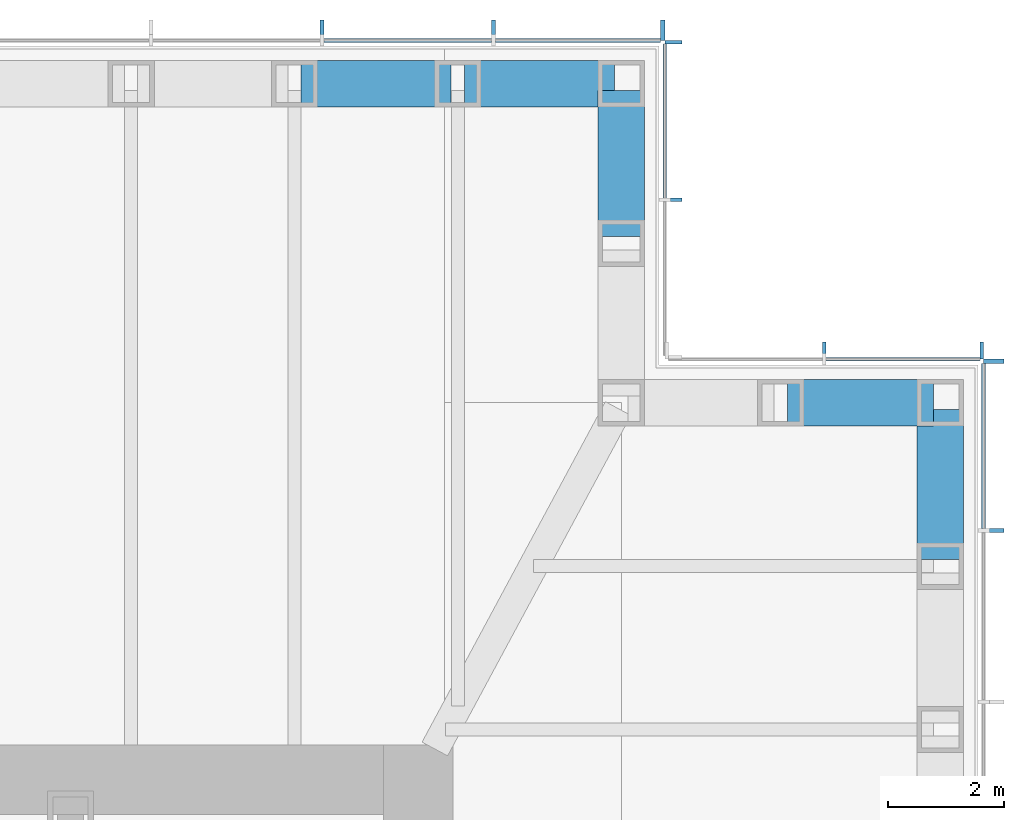
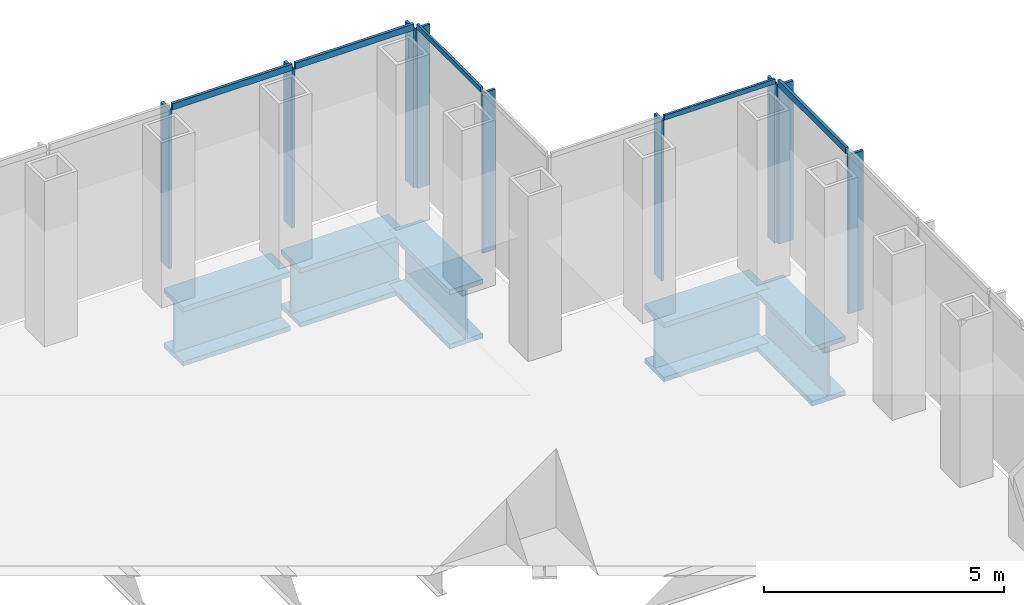
# One storey, part 6 of 16: 14 members, 5 beams, 4 elements without a shape of their own.
"""IFC4 building model written with IfcOpenShell, lengths in metres."""

from ifc_helpers import new_model, si_unit, direction, frame, origin, origin_2d, place, context, subcontext, project, spatial, rectangle, i_section, extrude, material, material_profile, profile_set, type_object, element, aggregate, save


model = new_model("IFC4")

# Units and contexts
model_context = context("Model", 3, precision=1e-05, world=origin(), true_north=direction((0.0, 1.0)))
body_context = subcontext(model_context, "Body", "Model", "MODEL_VIEW")
ifc_project = project(units=[si_unit("LENGTHUNIT", "METRE"), si_unit("AREAUNIT", "SQUARE_METRE"), si_unit("VOLUMEUNIT", "CUBIC_METRE"), si_unit("PLANEANGLEUNIT", "RADIAN"), si_unit("MASSUNIT", "GRAM", prefix="KILO")], contexts=[model_context])

# Site, building, storey
site_placement = place(None, origin())
site = spatial("IfcSite", under=ifc_project, at=site_placement, CompositionType="ELEMENT")
building_placement = place(site_placement, origin())
building = spatial("IfcBuilding", under=site, at=building_placement, Name="Daluyong Arena Tower", CompositionType="ELEMENT")
storey_placement = place(building_placement, frame((0.0, 0.0, 231.699951171875)))
storey = spatial("IfcBuildingStorey", under=building, at=storey_placement, Name="L52", CompositionType="ELEMENT", Elevation=231.699951171875)

# Curtain wall, members
ifc_material_1 = material(Name="Bronze anodised aluminium and glass", Category="aluminium")
curtain_wall_type_1 = type_object("IfcCurtainWallType", Name="Curtain wall CW3", PredefinedType="USERDEFINED", material=ifc_material_1)
curtain_wall_1_placement = place(storey_placement, origin())
curtain_wall_1 = element("IfcCurtainWall", 1, at=curtain_wall_1_placement, inside=storey, type_object=curtain_wall_type_1, Name="curtain wall L52 E", ObjectType="UNITISED CURTAIN WALL", PredefinedType="USERDEFINED")
ifc_material_2 = material(Name="Bronze anodised aluminium fin", Category="aluminium")
ifc_material_profile_1 = material_profile(ifc_material_2, rectangle(XDim=0.35009765625, YDim=0.070068359375, at=origin_2d()))
ifc_profile_set_1 = profile_set([ifc_material_profile_1], Name="Bronze anodised aluminium fin")
member_type_1 = type_object("IfcMemberType", Name="CW3 bronze fin 350x70", PredefinedType="MULLION", material=ifc_profile_set_1)
member_1_placement = place(storey_placement, frame((77.925048828125, 93.29541015625, 0.0), z_axis=(0.0, 0.0, 1.0), x_axis=(-1.0, 0.0, 0.0)))
member_1 = element("IfcMember", 2, at=member_1_placement, type_object=member_type_1, Name="curtain wall L52 E fin 11", PredefinedType="MULLION", context=body_context, shape_type="SweptSolid", body=[
    extrude(rectangle(XDim=0.35009765625, YDim=0.070068359375, at=origin_2d()), origin(), (0.0, 0.0, 1.0), 4.0400390625),
])
member_2_placement = place(storey_placement, frame((77.925048828125, 96.215087890625, 0.0), z_axis=(0.0, 0.0, 1.0), x_axis=(-1.0, 0.0, 0.0)))
member_2 = element("IfcMember", 3, at=member_2_placement, type_object=member_type_1, Name="curtain wall L52 E fin 12", PredefinedType="MULLION", context=body_context, shape_type="SweptSolid", body=[
    extrude(rectangle(XDim=0.35009765625, YDim=0.070068359375, at=origin_2d()), origin(), (0.0, 0.0, 1.0), 4.0400390625),
])

curtain_wall_2_placement = place(storey_placement, origin())
curtain_wall_2 = element("IfcCurtainWall", 4, at=curtain_wall_2_placement, inside=storey, type_object=curtain_wall_type_1, Name="curtain wall L52 N", ObjectType="UNITISED CURTAIN WALL", PredefinedType="USERDEFINED")
member_3_placement = place(storey_placement, frame((72.215087890625, 101.925048828125, 0.0), z_axis=(0.0, 0.0, 1.0), x_axis=(0.0, -1.0, 0.0)))
member_3 = element("IfcMember", 5, at=member_3_placement, type_object=member_type_1, Name="curtain wall L52 N fin 1", PredefinedType="MULLION", context=body_context, shape_type="SweptSolid", body=[
    extrude(rectangle(XDim=0.35009765625, YDim=0.070068359375, at=origin_2d()), origin(), (0.0, 0.0, 1.0), 4.0400390625),
])
member_4_placement = place(storey_placement, frame((69.29541015625, 101.925048828125, 0.0), z_axis=(0.0, 0.0, 1.0), x_axis=(0.0, -1.0, 0.0)))
member_4 = element("IfcMember", 6, at=member_4_placement, type_object=member_type_1, Name="curtain wall L52 N fin 2", PredefinedType="MULLION", context=body_context, shape_type="SweptSolid", body=[
    extrude(rectangle(XDim=0.35009765625, YDim=0.070068359375, at=origin_2d()), origin(), (0.0, 0.0, 1.0), 4.0400390625),
])
member_5_placement = place(storey_placement, frame((66.3408203125, 101.925048828125, 0.0), z_axis=(0.0, 0.0, 1.0), x_axis=(0.0, -1.0, 0.0)))
member_5 = element("IfcMember", 7, at=member_5_placement, type_object=member_type_1, Name="curtain wall L52 N fin 3", PredefinedType="MULLION", context=body_context, shape_type="SweptSolid", body=[
    extrude(rectangle(XDim=0.35009765625, YDim=0.070068359375, at=origin_2d()), origin(), (0.0, 0.0, 1.0), 4.0400390625),
])

# Member
ifc_material_3 = material(Name="Bronze anodised aluminium", Category="aluminium")
ifc_material_profile_2 = material_profile(ifc_material_3, rectangle(XDim=0.070068359375, YDim=0.159912109375, at=origin_2d()))
ifc_profile_set_2 = profile_set([ifc_material_profile_2], Name="Bronze anodised aluminium")
member_type_2 = type_object("IfcMemberType", Name="CW3 stack transom 160x70", PredefinedType="USERDEFINED", material=ifc_profile_set_2)
member_6_placement = place(storey_placement, frame((77.75, 93.33056640625, 4.1201171875), z_axis=(0.0, 1.0, 0.0), x_axis=(-1.0, 0.0, 0.0)))
member_6 = element("IfcMember", 8, at=member_6_placement, type_object=member_type_2, Name="curtain wall L52 E transom 11", ObjectType="TRANSOM", PredefinedType="USERDEFINED", context=body_context, shape_type="SweptSolid", body=[
    extrude(rectangle(XDim=0.070068359375, YDim=0.159912109375, at=origin_2d()), origin(), (0.0, 0.0, 1.0), 2.849365234375),
])

aggregate(curtain_wall_1, [member_1, member_2, member_6])

member_7_placement = place(storey_placement, frame((72.179931640625, 101.75, 4.1201171875), z_axis=(-1.0, 0.0, 0.0), x_axis=(0.0, -1.0, 0.0)))
member_7 = element("IfcMember", 9, at=member_7_placement, type_object=member_type_2, Name="curtain wall L52 N transom 1", ObjectType="TRANSOM", PredefinedType="USERDEFINED", context=body_context, shape_type="SweptSolid", body=[
    extrude(rectangle(XDim=0.070068359375, YDim=0.159912109375, at=origin_2d()), origin(), (0.0, 0.0, 1.0), 2.849365234375),
])

member_8_placement = place(storey_placement, frame((69.260498046875, 101.75, 4.1201171875), z_axis=(-1.0, 0.0, 0.0), x_axis=(0.0, -1.0, 0.0)))
member_8 = element("IfcMember", 10, at=member_8_placement, type_object=member_type_2, Name="curtain wall L52 N transom 2", ObjectType="TRANSOM", PredefinedType="USERDEFINED", context=body_context, shape_type="SweptSolid", body=[
    extrude(rectangle(XDim=0.070068359375, YDim=0.159912109375, at=origin_2d()), origin(), (0.0, 0.0, 1.0), 2.884521484375),
])

aggregate(curtain_wall_2, [member_3, member_4, member_5, member_7, member_8])

# Curtain wall, members
ifc_material_4 = material(Name="Bronze anodised aluminium and glass", Category="aluminium")
curtain_wall_type_2 = type_object("IfcCurtainWallType", Name="Curtain wall CW7", PredefinedType="USERDEFINED", material=ifc_material_4)
curtain_wall_3_placement = place(storey_placement, origin())
curtain_wall_3 = element("IfcCurtainWall", 11, at=curtain_wall_3_placement, inside=storey, type_object=curtain_wall_type_2, Name="curtain wall L52 NE-N", ObjectType="UNITISED CURTAIN WALL", PredefinedType="USERDEFINED")
ifc_material_5 = material(Name="Bronze anodised aluminium fin", Category="aluminium")
ifc_material_profile_3 = material_profile(ifc_material_5, rectangle(XDim=0.300048828125, YDim=0.06005859375, at=origin_2d()))
ifc_profile_set_3 = profile_set([ifc_material_profile_3], Name="Bronze anodised aluminium fin")
member_type_3 = type_object("IfcMemberType", Name="CW7 bronze fin 300x60", PredefinedType="MULLION", material=ifc_profile_set_3)
member_9_placement = place(storey_placement, frame((77.719970703125, 96.39990234375, 0.0), z_axis=(0.0, 0.0, 1.0), x_axis=(0.0, -1.0, 0.0)))
member_9 = element("IfcMember", 12, at=member_9_placement, type_object=member_type_3, Name="curtain wall L52 NE-N fin 1", PredefinedType="MULLION", context=body_context, shape_type="SweptSolid", body=[
    extrude(rectangle(XDim=0.300048828125, YDim=0.06005859375, at=origin_2d()), origin(), (0.0, 0.0, 1.0), 4.080078125),
])
member_10_placement = place(storey_placement, frame((75.0, 96.39990234375, 0.0), z_axis=(0.0, 0.0, 1.0), x_axis=(0.0, -1.0, 0.0)))
member_10 = element("IfcMember", 13, at=member_10_placement, type_object=member_type_3, Name="curtain wall L52 NE-N fin 2", PredefinedType="MULLION", context=body_context, shape_type="SweptSolid", body=[
    extrude(rectangle(XDim=0.300048828125, YDim=0.06005859375, at=origin_2d()), origin(), (0.0, 0.0, 1.0), 4.080078125),
])

curtain_wall_4_placement = place(storey_placement, origin())
curtain_wall_4 = element("IfcCurtainWall", 14, at=curtain_wall_4_placement, inside=storey, type_object=curtain_wall_type_2, Name="curtain wall L52 NE-E", ObjectType="UNITISED CURTAIN WALL", PredefinedType="USERDEFINED")
member_11_placement = place(storey_placement, frame((72.39990234375, 99.0, 0.0), z_axis=(0.0, 0.0, 1.0), x_axis=(-1.0, 0.0, 0.0)))
member_11 = element("IfcMember", 15, at=member_11_placement, type_object=member_type_3, Name="curtain wall L52 NE-E fin 2", PredefinedType="MULLION", context=body_context, shape_type="SweptSolid", body=[
    extrude(rectangle(XDim=0.300048828125, YDim=0.06005859375, at=origin_2d()), origin(), (0.0, 0.0, 1.0), 4.080078125),
])
member_12_placement = place(storey_placement, frame((72.39990234375, 101.719970703125, 0.0), z_axis=(0.0, 0.0, 1.0), x_axis=(-1.0, 0.0, 0.0)))
member_12 = element("IfcMember", 16, at=member_12_placement, type_object=member_type_3, Name="curtain wall L52 NE-E fin 3", PredefinedType="MULLION", context=body_context, shape_type="SweptSolid", body=[
    extrude(rectangle(XDim=0.300048828125, YDim=0.06005859375, at=origin_2d()), origin(), (0.0, 0.0, 1.0), 4.080078125),
])

# Member
ifc_material_6 = material(Name="Bronze anodised aluminium", Category="aluminium")
ifc_material_profile_4 = material_profile(ifc_material_6, rectangle(XDim=0.06005859375, YDim=0.1201171875, at=origin_2d()))
ifc_profile_set_4 = profile_set([ifc_material_profile_4], Name="Bronze anodised aluminium")
member_type_4 = type_object("IfcMemberType", Name="CW7 stack transom 120x60", PredefinedType="USERDEFINED", material=ifc_profile_set_4)
member_13_placement = place(storey_placement, frame((77.68994140625, 96.25, 4.14013671875), z_axis=(-1.0, 0.0, 0.0), x_axis=(0.0, -1.0, 0.0)))
member_13 = element("IfcMember", 17, at=member_13_placement, type_object=member_type_4, Name="curtain wall L52 NE-N transom 1", ObjectType="TRANSOM", PredefinedType="USERDEFINED", context=body_context, shape_type="SweptSolid", body=[
    extrude(rectangle(XDim=0.06005859375, YDim=0.1201171875, at=origin_2d()), origin(), (0.0, 0.0, 1.0), 2.659912109375),
])

aggregate(curtain_wall_3, [member_9, member_10, member_13])

member_14_placement = place(storey_placement, frame((72.25, 99.030029296875, 4.14013671875), z_axis=(0.0, 1.0, 0.0), x_axis=(-1.0, 0.0, 0.0)))
member_14 = element("IfcMember", 18, at=member_14_placement, type_object=member_type_4, Name="curtain wall L52 NE-E transom 2", ObjectType="TRANSOM", PredefinedType="USERDEFINED", context=body_context, shape_type="SweptSolid", body=[
    extrude(rectangle(XDim=0.06005859375, YDim=0.1201171875, at=origin_2d()), origin(), (0.0, 0.0, 1.0), 2.659912109375),
])

aggregate(curtain_wall_4, [member_11, member_12, member_14])

# Beams
ifc_material_7 = material(Name="Steel ASTM A588 Grade 50", Category="steel")
ifc_material_profile_5 = material_profile(ifc_material_7, i_section(OverallWidth=0.800048828125, OverallDepth=1.5, WebThickness=0.05, FlangeThickness=0.12, at=origin_2d()))
ifc_profile_set_5 = profile_set([ifc_material_profile_5], Name="Steel ASTM A588 Grade 50")
beam_type = type_object("IfcBeamType", Name="Spandrel Z3 PG1500X800", PredefinedType="SPANDREL", material=ifc_profile_set_5)
beam_1_placement = place(storey_placement, frame((77.0, 92.796875, -0.909912109375), z_axis=(0.0, 1.0, 0.0), x_axis=(-1.0, 0.0, 0.0)))
element("IfcBeam", 19, at=beam_1_placement, inside=storey, type_object=beam_type, Name="spandrel z3 SB7", PredefinedType="SPANDREL", context=body_context, shape_type="SweptSolid", body=[
    extrude(i_section(OverallWidth=0.800048828125, OverallDepth=1.5, WebThickness=0.05, FlangeThickness=0.12, at=origin_2d()), origin(), (0.0, 0.0, 1.0), 2.588134765625),
])
for number, where, z_axis, x_axis, name in (
    (20, (76.885009765625, 95.5, -0.909912109375), (-1.0, 0.0, 0.0), (0.0, -1.0, 0.0), "spandrel z3 SB7"),
    (21, (71.5, 98.364990234375, -0.909912109375), (0.0, 1.0, 0.0), (-1.0, 0.0, 0.0), "spandrel z3 SB7"),
):
    element("IfcBeam", number, at=place(storey_placement, frame(where, z_axis=z_axis, x_axis=x_axis)), inside=storey, type_object=beam_type, Name=name, PredefinedType="SPANDREL", context=body_context, shape_type="SweptSolid", body=[
        extrude(i_section(OverallWidth=0.800048828125, OverallDepth=1.5, WebThickness=0.05, FlangeThickness=0.12, at=origin_2d()), origin(), (0.0, 0.0, 1.0), 2.52001953125),
    ])
beam_2_placement = place(storey_placement, frame((71.385009765625, 101.0, -0.909912109375), z_axis=(-1.0, 0.0, 0.0), x_axis=(0.0, -1.0, 0.0)))
element("IfcBeam", 22, at=beam_2_placement, inside=storey, type_object=beam_type, Name="spandrel z3 SB7", PredefinedType="SPANDREL", context=body_context, shape_type="SweptSolid", body=[
    extrude(i_section(OverallWidth=0.800048828125, OverallDepth=1.5, WebThickness=0.05, FlangeThickness=0.12, at=origin_2d()), origin(), (0.0, 0.0, 1.0), 2.588134765625),
])
beam_3_placement = place(storey_placement, frame((68.56689453125, 101.0, -0.909912109375), z_axis=(-1.0, 0.0, 0.0), x_axis=(0.0, -1.0, 0.0)))
element("IfcBeam", 23, at=beam_3_placement, inside=storey, type_object=beam_type, Name="spandrel z3 SB7", PredefinedType="SPANDREL", context=body_context, shape_type="SweptSolid", body=[
    extrude(i_section(OverallWidth=0.800048828125, OverallDepth=1.5, WebThickness=0.05, FlangeThickness=0.12, at=origin_2d()), origin(), (0.0, 0.0, 1.0), 2.58837890625),
])

save(model, "model.ifc")
